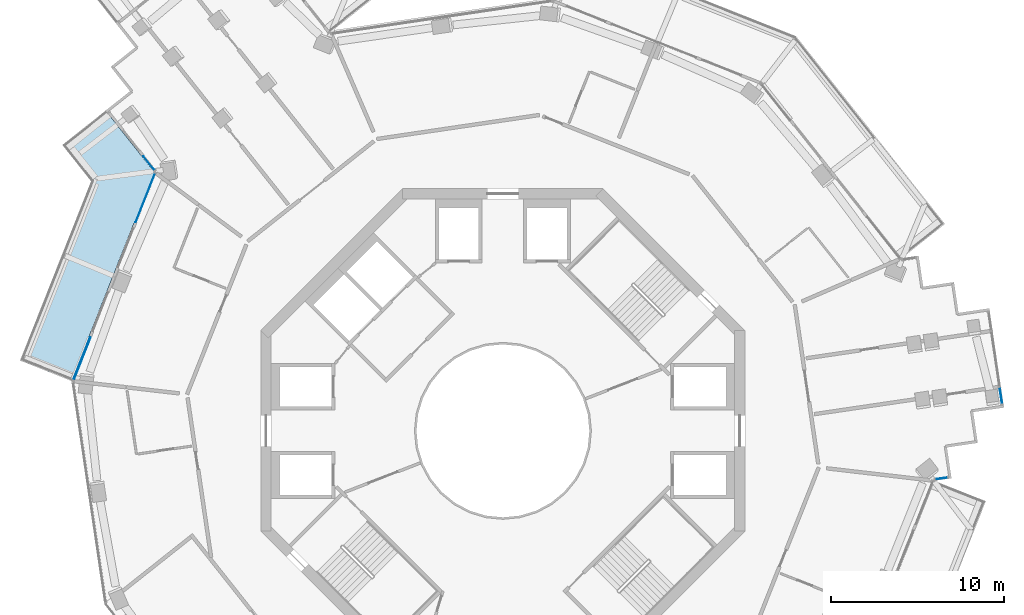
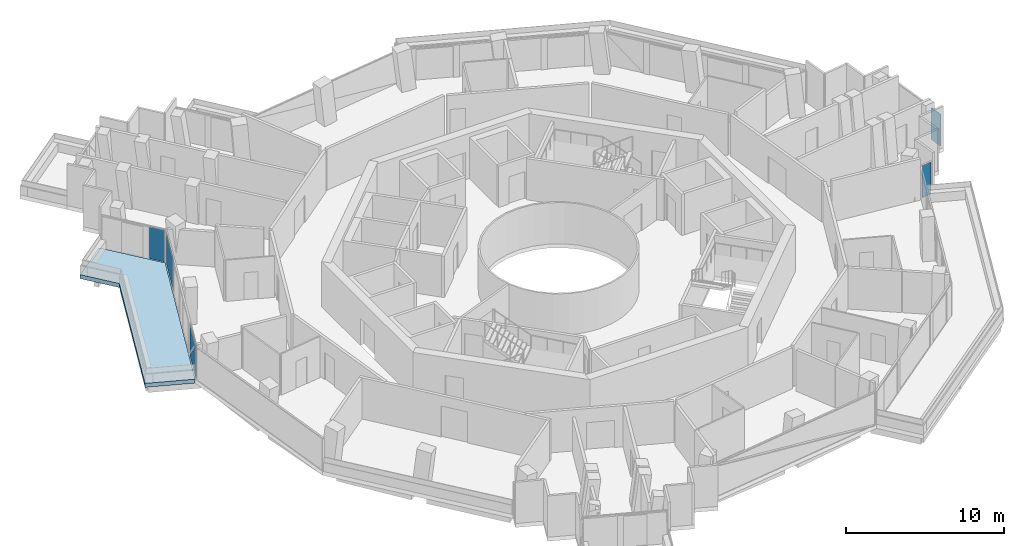
# One storey, part 12 of 21: 6 plates, 1 slab, 4 elements without a shape of their own.
"""IFC4 building model written with IfcOpenShell, lengths in metres."""

from ifc_helpers import new_model, si_unit, direction, frame, origin, origin_2d, place, context, subcontext, project, spatial, polyline, rectangle, outline, extrude, material, layer, layer_set, type_object, element, aggregate, save


model = new_model("IFC4")

# Units and contexts
model_context = context("Model", 3, precision=1e-05, world=origin(), true_north=direction((0.0, 1.0)))
body_context = subcontext(model_context, "Body", "Model", "MODEL_VIEW")
ifc_project = project(units=[si_unit("LENGTHUNIT", "METRE"), si_unit("AREAUNIT", "SQUARE_METRE"), si_unit("VOLUMEUNIT", "CUBIC_METRE"), si_unit("PLANEANGLEUNIT", "RADIAN"), si_unit("MASSUNIT", "GRAM", prefix="KILO")], contexts=[model_context])

# Site, building, storey
site_placement = place(None, origin())
site = spatial("IfcSite", under=ifc_project, at=site_placement, CompositionType="ELEMENT")
building_placement = place(site_placement, origin())
building = spatial("IfcBuilding", under=site, at=building_placement, Name="Verdalira Terraces Hotel", CompositionType="ELEMENT")
storey_placement = place(building_placement, frame((0.0, 0.0, 190.5)))
storey = spatial("IfcBuildingStorey", under=building, at=storey_placement, Name="L46", CompositionType="ELEMENT", Elevation=190.5)

# Slab
ifc_material_1 = material(Name="Precast concrete C40/50", Category="concrete")
ifc_layer_1 = layer(ifc_material_1, 0.31005859375)
ifc_layer_set_1 = layer_set([ifc_layer_1], Name="Balcony deck 310")
slab_type = type_object("IfcSlabType", Name="Balcony deck 310", PredefinedType="FLOOR", material=ifc_layer_set_1)
slab_placement = place(storey_placement, frame((0.0, 0.0, -0.310059)))
element("IfcSlab", 1, at=slab_placement, inside=storey, type_object=slab_type, Name="Balcony deck", PredefinedType="FLOOR", context=body_context, shape_type="SweptSolid", body=[
    extrude(outline(polyline([(-23.817383, 14.433838), (-27.922852, 4.064453), (-24.947754, 2.886475), (-20.162109, 14.973633), (-22.972168, 18.519287), (-25.47998, 16.531494), (-23.817383, 14.433838)])), origin(), (0.0, 0.0, 1.0), 0.310059),
])

# Curtain wall, plates
ifc_material_2 = material(Name="Clear glass", Category="glass")
ifc_layer_2 = layer(ifc_material_2, 0.14990234375)
ifc_layer_set_2 = layer_set([ifc_layer_2], Name="CW1 curtain wall")
curtain_wall_type_1 = type_object("IfcCurtainWallType", Name="CW1 curtain wall", PredefinedType="NOTDEFINED", material=ifc_layer_set_2)
curtain_wall_1_placement = place(storey_placement, origin())
curtain_wall_1 = element("IfcCurtainWall", 2, at=curtain_wall_1_placement, inside=storey, type_object=curtain_wall_type_1, Name="CW1 curtain wall L46 edge 11", PredefinedType="NOTDEFINED")
ifc_material_3 = material(Name="Clear glass", Category="glass")
ifc_layer_3 = layer(ifc_material_3, 0.028076171875)
ifc_layer_set_3 = layer_set([ifc_layer_3], Name="CW1 glass unit 28")
plate_type_1 = type_object("IfcPlateType", Name="CW1 glass unit 28", PredefinedType="CURTAIN_PANEL", material=ifc_layer_set_3)
plate_1_placement = place(storey_placement, frame((-20.673828, 13.477051, 0.0), z_axis=(0.0, 0.0, 1.0), x_axis=(-0.368124553, -0.929776486, 0.0)))
plate_1 = element("IfcPlate", 3, at=plate_1_placement, type_object=plate_type_1, Name="CW1 glass unit", PredefinedType="CURTAIN_PANEL", context=body_context, shape_type="SweptSolid", body=[
    extrude(rectangle(XDim=3.040039, YDim=0.028076, at=origin_2d()), origin(), (0.0, 0.0, 1.0), 2.475098),
])
plate_2_placement = place(storey_placement, frame((-24.342529, 4.173584, 1.237549), z_axis=(-0.929776486, 0.368124553, 0.0), x_axis=(-0.368124553, -0.929776486, 0.0)))
plate_2 = element("IfcPlate", 4, at=plate_2_placement, type_object=plate_type_1, Name="CW1 glass unit", PredefinedType="CURTAIN_PANEL", context=body_context, shape_type="SweptSolid", body=[
    extrude(outline(polyline([(-1.319336, -1.237549), (1.319336, -1.237549), (1.319336, 1.237549), (-1.319336, -1.237549)])), origin(), (0.0, 0.0, 1.0), 0.028076),
])
plate_3_placement = place(storey_placement, frame((-24.31543, 4.162842, 1.237549), z_axis=(-0.929776486, 0.368124553, 0.0), x_axis=(-0.368124553, -0.929776486, 0.0)))
plate_3 = element("IfcPlate", 5, at=plate_3_placement, type_object=plate_type_1, Name="CW1 glass unit", PredefinedType="CURTAIN_PANEL", context=body_context, shape_type="SweptSolid", body=[
    extrude(outline(polyline([(-1.319336, -1.237549), (1.319336, 1.237549), (-1.319336, 1.237549), (-1.319336, -1.237549)])), origin(), (0.0, 0.0, 1.0), 0.028076),
])
aggregate(curtain_wall_1, [plate_1, plate_2, plate_3])

# Curtain wall, plate
ifc_material_4 = material(Name="Clear glass", Category="glass")
ifc_layer_4 = layer(ifc_material_4, 0.14990234375)
ifc_layer_set_4 = layer_set([ifc_layer_4], Name="CW2 curtain wall")
curtain_wall_type_2 = type_object("IfcCurtainWallType", Name="CW2 curtain wall", PredefinedType="NOTDEFINED", material=ifc_layer_set_4)
curtain_wall_2_placement = place(storey_placement, origin())
curtain_wall_2 = element("IfcCurtainWall", 6, at=curtain_wall_2_placement, inside=storey, type_object=curtain_wall_type_2, Name="CW2 curtain wall L46 edge 10", PredefinedType="NOTDEFINED")
ifc_material_5 = material(Name="Clear glass", Category="glass")
ifc_layer_5 = layer(ifc_material_5, 0.031982421875)
ifc_layer_set_5 = layer_set([ifc_layer_5], Name="CW2 glass unit 32")
plate_type_2 = type_object("IfcPlateType", Name="CW2 glass unit 32", PredefinedType="CURTAIN_PANEL", material=ifc_layer_set_5)
plate_4_placement = place(storey_placement, frame((-20.464844, 15.476318, 0.0), z_axis=(0.0, 0.0, 1.0), x_axis=(0.62114778, -0.783693457, 0.0)))
plate_4 = element("IfcPlate", 7, at=plate_4_placement, type_object=plate_type_2, Name="CW2 glass unit", PredefinedType="CURTAIN_PANEL", context=body_context, shape_type="SweptSolid", body=[
    extrude(rectangle(XDim=1.02417, YDim=0.031982, at=origin_2d()), origin(), (0.0, 0.0, 1.0), 2.475098),
])
aggregate(curtain_wall_2, [plate_4])

curtain_wall_3_placement = place(storey_placement, origin())
curtain_wall_3 = element("IfcCurtainWall", 8, at=curtain_wall_3_placement, inside=storey, type_object=curtain_wall_type_2, Name="CW2 curtain wall L46 edge 28", PredefinedType="NOTDEFINED")
plate_5_placement = place(storey_placement, frame((25.357178, -2.750244, 0.0), z_axis=(0.0, 0.0, 1.0), x_axis=(0.989272333, 0.146083029, 0.0)))
plate_5 = element("IfcPlate", 9, at=plate_5_placement, type_object=plate_type_2, Name="CW2 glass unit", PredefinedType="CURTAIN_PANEL", context=body_context, shape_type="SweptSolid", body=[
    extrude(rectangle(XDim=0.709961, YDim=0.031982, at=origin_2d()), origin(), (0.0, 0.0, 1.0), 2.475098),
])
aggregate(curtain_wall_3, [plate_5])

ifc_material_6 = material(Name="Clear glass", Category="glass")
ifc_layer_6 = layer(ifc_material_6, 0.14990234375)
ifc_layer_set_6 = layer_set([ifc_layer_6], Name="CW3 curtain wall")
curtain_wall_type_3 = type_object("IfcCurtainWallType", Name="CW3 curtain wall", PredefinedType="NOTDEFINED", material=ifc_layer_set_6)
curtain_wall_4_placement = place(storey_placement, origin())
curtain_wall_4 = element("IfcCurtainWall", 10, at=curtain_wall_4_placement, inside=storey, type_object=curtain_wall_type_3, Name="CW3 curtain wall L46 edge 33", PredefinedType="NOTDEFINED")
ifc_material_7 = material(Name="Clear glass", Category="glass")
ifc_layer_7 = layer(ifc_material_7, 0.035888671875)
ifc_layer_set_7 = layer_set([ifc_layer_7], Name="CW3 glass unit 36")
plate_type_3 = type_object("IfcPlateType", Name="CW3 glass unit 36", PredefinedType="CURTAIN_PANEL", material=ifc_layer_set_7)
plate_6_placement = place(storey_placement, frame((28.794922, 2.0354, 0.0), z_axis=(0.0, 0.0, 1.0), x_axis=(-0.146083029, 0.989272333, 0.0)))
plate_6 = element("IfcPlate", 11, at=plate_6_placement, type_object=plate_type_3, Name="CW3 glass unit", PredefinedType="CURTAIN_PANEL", context=body_context, shape_type="SweptSolid", body=[
    extrude(rectangle(XDim=0.954346, YDim=0.035889, at=origin_2d()), origin(), (0.0, 0.0, 1.0), 2.475098),
])
aggregate(curtain_wall_4, [plate_6])

save(model, "model.ifc")
